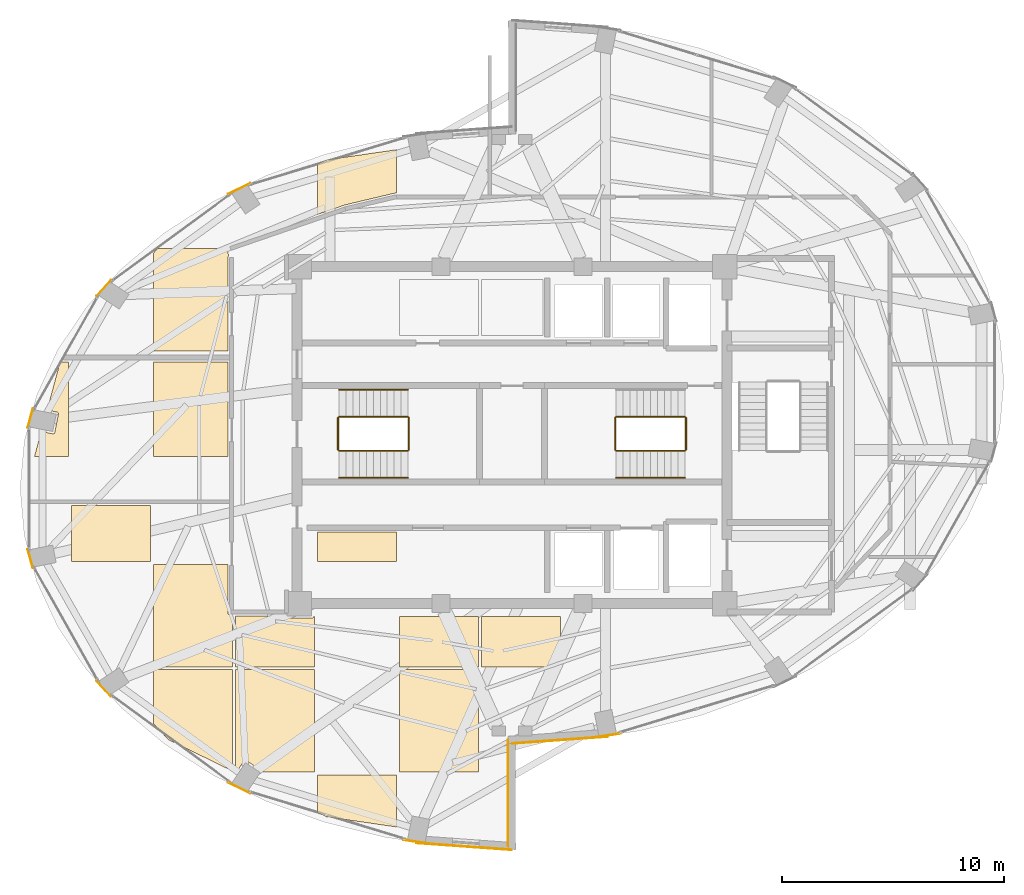
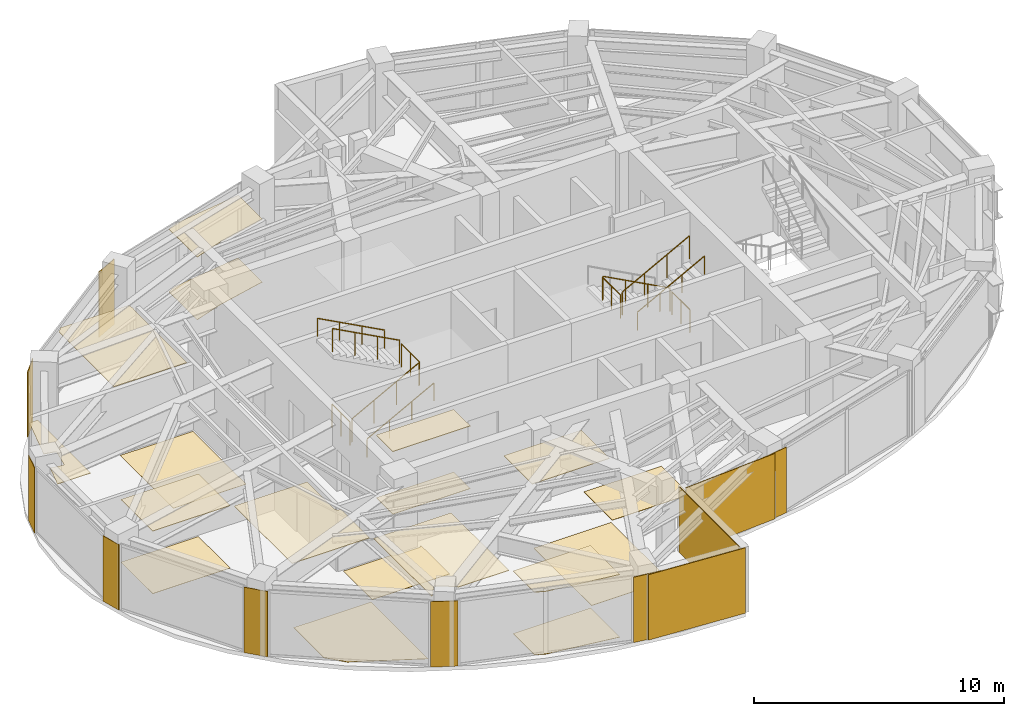
# One storey, part 22 of 23: 29 coverings, 11 railings.
"""IFC4 building model written with IfcOpenShell, lengths in metres."""

from ifc_helpers import new_model, si_unit, direction, frame, origin, origin_2d, place, context, subcontext, project, spatial, polyline, rectangle, circle, outline, extrude, material, layer, layer_set, type_object, element, save


model = new_model("IFC4")

# Units and contexts
model_context = context("Model", 3, precision=1e-05, world=origin(), true_north=direction((0.0, 1.0)))
body_context = subcontext(model_context, "Body", "Model", "MODEL_VIEW")
ifc_project = project(units=[si_unit("LENGTHUNIT", "METRE"), si_unit("AREAUNIT", "SQUARE_METRE"), si_unit("VOLUMEUNIT", "CUBIC_METRE"), si_unit("PLANEANGLEUNIT", "RADIAN"), si_unit("MASSUNIT", "GRAM", prefix="KILO")], contexts=[model_context])

# Site, building, storey
site_placement = place(None, origin())
site = spatial("IfcSite", under=ifc_project, at=site_placement, CompositionType="ELEMENT")
building_placement = place(site_placement, origin())
building = spatial("IfcBuilding", under=site, at=building_placement, Name="Lazwardi Medical Tower", CompositionType="ELEMENT")
storey_placement = place(building_placement, frame((0.0, 0.0, 265.968017578125)))
storey = spatial("IfcBuildingStorey", under=building, at=storey_placement, Name="L69", CompositionType="ELEMENT", Elevation=265.968017578125)

# Coverings
ifc_material_1 = material(Name="Anodised bronze aluminium cassette cladding", Category="aluminium")
ifc_layer_1 = layer(ifc_material_1, 0.030029296875)
ifc_layer_set_1 = layer_set([ifc_layer_1], Name="Anodised bronze aluminium cassette cladding")
covering_type_1 = type_object("IfcCoveringType", Name="COV-CLD-BRZ", PredefinedType="CLADDING", material=ifc_layer_set_1)
covering_1_placement = place(storey_placement, frame((40.3232421875, 14.450439453125, 0.0), z_axis=(0.0, 0.0, 1.0), x_axis=(0.989512431533, 0.144447733943, 0.0)))
element("IfcCovering", 1, at=covering_1_placement, inside=storey, type_object=covering_type_1, Name="L69 Mega-column bronze cassette cover M01", PredefinedType="CLADDING", context=body_context, shape_type="SweptSolid", body=[
    extrude(rectangle(XDim=1.188720703125, YDim=0.030029296875, at=origin_2d()), origin(), (0.0, 0.0, 1.0), 3.197998046875),
])
covering_2_placement = place(storey_placement, frame((23.688720703125, 39.121337890625, 0.0), z_axis=(0.0, 0.0, 1.0), x_axis=(-0.897840141691, -0.440321564278, 0.0)))
element("IfcCovering", 2, at=covering_2_placement, inside=storey, type_object=covering_type_1, Name="L69 Mega-column bronze cassette cover M10", PredefinedType="CLADDING", context=body_context, shape_type="SweptSolid", body=[
    extrude(rectangle(XDim=1.110595703125, YDim=0.030029296875, at=origin_2d()), origin(), (0.0, 0.0, 1.0), 3.197998046875),
])
covering_3_placement = place(storey_placement, frame((17.57470703125, 34.634765625, 0.0), z_axis=(0.0, 0.0, 1.0), x_axis=(-0.673240970654, -0.739423150458, 0.0)))
element("IfcCovering", 3, at=covering_3_placement, inside=storey, type_object=covering_type_1, Name="L69 Mega-column bronze cassette cover M11", PredefinedType="CLADDING", context=body_context, shape_type="SweptSolid", body=[
    extrude(rectangle(XDim=0.98974609375, YDim=0.030029296875, at=origin_2d()), origin(), (0.0, 0.0, 1.0), 3.197998046875),
])
for number, where, z_axis, x_axis, name in (
    (4, (14.265869140625, 28.772705078125, 0.0), (0.0, 0.0, 1.0), (-0.261641748247, -0.96516506131, 0.0), "L69 Mega-column bronze cassette cover M12"),
    (5, (14.265869140625, 22.427490234375, 0.0), (0.0, 0.0, 1.0), (0.261641748247, -0.96516506131, 0.0), "L69 Mega-column bronze cassette cover M13"),
):
    element("IfcCovering", number, at=place(storey_placement, frame(where, z_axis=z_axis, x_axis=x_axis)), inside=storey, type_object=covering_type_1, Name=name, PredefinedType="CLADDING", context=body_context, shape_type="SweptSolid", body=[
        extrude(rectangle(XDim=0.894287109375, YDim=0.030029296875, at=origin_2d()), origin(), (0.0, 0.0, 1.0), 3.197998046875),
    ])
covering_4_placement = place(storey_placement, frame((17.57470703125, 16.565185546875, 0.0), z_axis=(0.0, 0.0, 1.0), x_axis=(0.673240970654, -0.739423150458, 0.0)))
element("IfcCovering", 6, at=covering_4_placement, inside=storey, type_object=covering_type_1, Name="L69 Mega-column bronze cassette cover M14", PredefinedType="CLADDING", context=body_context, shape_type="SweptSolid", body=[
    extrude(rectangle(XDim=0.98974609375, YDim=0.030029296875, at=origin_2d()), origin(), (0.0, 0.0, 1.0), 3.197998046875),
])
covering_5_placement = place(storey_placement, frame((23.688720703125, 12.07861328125, 0.0), z_axis=(0.0, 0.0, 1.0), x_axis=(0.897840141691, -0.440321564278, 0.0)))
element("IfcCovering", 7, at=covering_5_placement, inside=storey, type_object=covering_type_1, Name="L69 Mega-column bronze cassette cover M15", PredefinedType="CLADDING", context=body_context, shape_type="SweptSolid", body=[
    extrude(rectangle(XDim=1.110595703125, YDim=0.030029296875, at=origin_2d()), origin(), (0.0, 0.0, 1.0), 3.197998046875),
])
covering_6_placement = place(storey_placement, frame((31.6767578125, 9.650390625, 0.0), z_axis=(0.0, 0.0, 1.0), x_axis=(0.989512431533, -0.144447733943, 0.0)))
element("IfcCovering", 8, at=covering_6_placement, inside=storey, type_object=covering_type_1, Name="L69 Mega-column bronze cassette cover M16", PredefinedType="CLADDING", context=body_context, shape_type="SweptSolid", body=[
    extrude(rectangle(XDim=1.188720703125, YDim=0.030029296875, at=origin_2d()), origin(), (0.0, 0.0, 1.0), 3.197998046875),
])
ifc_material_2 = material(Name="Turquoise glazed ceramic tilework cladding", Category="masonry")
ifc_layer_2 = layer(ifc_material_2, 0.034912109375)
ifc_layer_set_2 = layer_set([ifc_layer_2], Name="Turquoise glazed ceramic tilework cladding")
covering_type_2 = type_object("IfcCoveringType", Name="COV-CLD-TRQ", PredefinedType="CLADDING", material=ifc_layer_set_2)
covering_7_placement = place(storey_placement, frame((38.16259765625, 14.239990234375, 0.0), z_axis=(0.0, 0.0, 1.0), x_axis=(0.997409491337, 0.071932653157, 0.0)))
element("IfcCovering", 9, at=covering_7_placement, inside=storey, type_object=covering_type_2, Name="L69 Turquoise glazed ceramic tilework cladding", PredefinedType="CLADDING", context=body_context, shape_type="SweptSolid", body=[
    extrude(rectangle(XDim=4.31103515625, YDim=0.034912109375, at=origin_2d()), origin(), (0.0, 0.0, 1.0), 3.197998046875),
])
covering_8_placement = place(storey_placement, frame((33.83740234375, 9.43994140625, 0.0), z_axis=(0.0, 0.0, 1.0), x_axis=(0.997408989128, -0.071939616387, 0.0)))
element("IfcCovering", 10, at=covering_8_placement, inside=storey, type_object=covering_type_2, Name="L69 Turquoise glazed ceramic tilework cladding", PredefinedType="CLADDING", context=body_context, shape_type="SweptSolid", body=[
    extrude(rectangle(XDim=4.310546875, YDim=0.034912109375, at=origin_2d()), origin(), (0.0, 0.0, 1.0), 3.197998046875),
])
covering_9_placement = place(storey_placement, frame((35.824462890625, 11.860107421875, 0.0), z_axis=(0.0, 0.0, 1.0), x_axis=(0.0, 1.0, 0.0)))
element("IfcCovering", 11, at=covering_9_placement, inside=storey, type_object=covering_type_2, Name="L69 Turquoise glazed ceramic tilework iwan panel", PredefinedType="CLADDING", context=body_context, shape_type="SweptSolid", body=[
    extrude(rectangle(XDim=4.800048828125, YDim=0.034912109375, at=origin_2d()), origin(), (0.0, 0.0, 1.0), 3.197998046875),
])
ifc_material_3 = material(Name="Acoustic mineral fibre tile")
ifc_layer_3 = layer(ifc_material_3, 0.02490234375)
ifc_layer_set_3 = layer_set([ifc_layer_3], Name="Acoustic mineral fibre tile")
covering_type_3 = type_object("IfcCoveringType", Name="COV-CLG-01", PredefinedType="CEILING", material=ifc_layer_set_3)
covering_10_placement = place(storey_placement, frame((0.0, 0.0, 3.052978515625)))
element("IfcCovering", 12, at=covering_10_placement, inside=storey, type_object=covering_type_3, Name="L69 Clinical Acoustic Ceiling 1", PredefinedType="CEILING", context=body_context, shape_type="SweptSolid", body=[
    extrude(outline(polyline([(15.992919921875, 31.300048828125), (15.61181640625, 31.300048828125), (15.0224609375, 29.13134765625), (15.4716796875, 29.0419921875), (15.479248046875, 29.040283203125), (15.486572265625, 29.03759765625), (15.49365234375, 29.0341796875), (15.50048828125, 29.030029296875), (15.5068359375, 29.025390625), (15.5126953125, 29.020263671875), (15.517822265625, 29.014404296875), (15.5224609375, 29.008056640625), (15.526611328125, 29.001220703125), (15.52978515625, 28.994140625), (15.53271484375, 28.98681640625), (15.534423828125, 28.979248046875), (15.53564453125, 28.971435546875), (15.535888671875, 28.963623046875), (15.53564453125, 28.955810546875), (15.534423828125, 28.947998046875), (15.37060546875, 28.124267578125), (15.36865234375, 28.11669921875), (15.365966796875, 28.109130859375), (15.36279296875, 28.10205078125), (15.358642578125, 28.095458984375), (15.35400390625, 28.089111328125), (15.3486328125, 28.083251953125), (15.343017578125, 28.077880859375), (15.33642578125, 28.0732421875), (15.329833984375, 28.069091796875), (15.32275390625, 28.06591796875), (15.315185546875, 28.063232421875), (15.3076171875, 28.061279296875), (15.2998046875, 28.060302734375), (15.2919921875, 28.059814453125), (15.2841796875, 28.060302734375), (15.276611328125, 28.061279296875), (14.759521484375, 28.1640625), (14.454833984375, 27.04248046875), (15.992919921875, 27.04248046875), (15.992919921875, 31.300048828125)])), origin(), (0.0, 0.0, 1.0), 0.02490234375),
])
covering_11_placement = place(storey_placement, frame((0.0, 0.0, 3.052978515625)))
element("IfcCovering", 13, at=covering_11_placement, inside=storey, type_object=covering_type_3, Name="L69 Clinical Acoustic Ceiling 2", PredefinedType="CEILING", context=body_context, shape_type="SweptSolid", body=[
    extrude(outline(polyline([(19.69287109375, 24.8349609375), (16.11279296875, 24.8349609375), (16.11279296875, 22.29248046875), (19.69287109375, 22.29248046875), (19.69287109375, 24.8349609375)])), origin(), (0.0, 0.0, 1.0), 0.02490234375),
])
covering_12_placement = place(storey_placement, frame((0.0, 0.0, 3.052978515625)))
element("IfcCovering", 14, at=covering_12_placement, inside=storey, type_object=covering_type_3, Name="L69 Clinical Acoustic Ceiling 3", PredefinedType="CEILING", context=body_context, shape_type="SweptSolid", body=[
    extrude(outline(polyline([(23.392822265625, 19.844970703125), (23.35009765625, 19.844970703125), (23.345703125, 19.84521484375), (23.33642578125, 19.845703125), (23.32958984375, 19.84619140625), (23.3203125, 19.84765625), (23.31201171875, 19.84912109375), (23.302734375, 19.8515625), (23.2958984375, 19.853515625), (23.287109375, 19.856689453125), (23.279296875, 19.860107421875), (23.270751953125, 19.864013671875), (23.263916015625, 19.86767578125), (23.256103515625, 19.872314453125), (23.249267578125, 19.876953125), (23.24169921875, 19.882568359375), (23.236083984375, 19.88720703125), (23.229248046875, 19.893310546875), (23.223388671875, 19.8994140625), (23.217041015625, 19.90625), (23.21240234375, 19.911865234375), (23.206787109375, 19.919189453125), (23.202392578125, 19.926025390625), (23.197509765625, 19.93408203125), (23.194091796875, 19.94091796875), (23.18994140625, 19.94921875), (23.186767578125, 19.95703125), (23.18359375, 19.9658203125), (23.181396484375, 19.972900390625), (23.17919921875, 19.98193359375), (23.177490234375, 19.990234375), (23.17626953125, 19.99951171875), (23.175537109375, 20.00634765625), (23.175048828125, 20.015625), (23.175048828125, 20.02001953125), (23.175048828125, 22.172607421875), (19.81298828125, 22.172607421875), (19.81298828125, 17.54248046875), (23.392822265625, 17.54248046875), (23.392822265625, 19.844970703125)])), origin(), (0.0, 0.0, 1.0), 0.02490234375),
])
covering_13_placement = place(storey_placement, frame((0.0, 0.0, 3.052978515625)))
element("IfcCovering", 15, at=covering_13_placement, inside=storey, type_object=covering_type_3, Name="L69 Clinical Acoustic Ceiling 4", PredefinedType="CEILING", context=body_context, shape_type="SweptSolid", body=[
    extrude(outline(polyline([(20.011962890625, 36.422607421875), (19.81298828125, 36.204345703125), (19.81298828125, 31.79248046875), (23.175048828125, 31.79248046875), (23.175048828125, 35.982421875), (23.175048828125, 35.986572265625), (23.175537109375, 35.99609375), (23.176513671875, 36.00439453125), (23.177978515625, 36.01416015625), (23.179443359375, 36.021484375), (23.181884765625, 36.031005859375), (23.1845703125, 36.039306640625), (23.18798828125, 36.04833984375), (23.191162109375, 36.055419921875), (23.1953125, 36.064208984375), (23.199462890625, 36.071533203125), (23.20458984375, 36.079833984375), (23.209228515625, 36.086181640625), (23.212158203125, 36.090087890625), (23.1591796875, 36.40625), (23.15869140625, 36.410400390625), (23.15771484375, 36.419921875), (23.157470703125, 36.422607421875), (20.011962890625, 36.422607421875)])), origin(), (0.0, 0.0, 1.0), 0.02490234375),
])
covering_14_placement = place(storey_placement, frame((0.0, 0.0, 3.052978515625)))
element("IfcCovering", 16, at=covering_14_placement, inside=storey, type_object=covering_type_3, Name="L69 Clinical Acoustic Ceiling 5", PredefinedType="CEILING", context=body_context, shape_type="SweptSolid", body=[
    extrude(outline(polyline([(23.56298828125, 12.79248046875), (23.900634765625, 13.297607421875), (23.905517578125, 13.303955078125), (23.91064453125, 13.309814453125), (23.91650390625, 13.31494140625), (23.9228515625, 13.319580078125), (23.929443359375, 13.32373046875), (23.9365234375, 13.3271484375), (23.944091796875, 13.329833984375), (23.95166015625, 13.331787109375), (23.95947265625, 13.332763671875), (23.96728515625, 13.333251953125), (23.97509765625, 13.332763671875), (23.98291015625, 13.331787109375), (23.990478515625, 13.329833984375), (23.997802734375, 13.3271484375), (24.0048828125, 13.32373046875), (24.01171875, 13.319580078125), (24.7099609375, 12.85302734375), (24.71630859375, 12.848388671875), (24.72216796875, 12.843017578125), (24.727294921875, 12.83740234375), (24.732177734375, 12.830810546875), (24.736083984375, 12.82421875), (24.739501953125, 12.817138671875), (24.7421875, 12.809814453125), (24.744140625, 12.802001953125), (24.7451171875, 12.794189453125), (24.745361328125, 12.79248046875), (27.093017578125, 12.79248046875), (27.093017578125, 17.422607421875), (23.512939453125, 17.422607421875), (23.512939453125, 12.79248046875), (23.56298828125, 12.79248046875)])), origin(), (0.0, 0.0, 1.0), 0.02490234375),
])
covering_15_placement = place(storey_placement, frame((0.0, 0.0, 3.052978515625)))
element("IfcCovering", 17, at=covering_15_placement, inside=storey, type_object=covering_type_3, Name="L69 Clinical Acoustic Ceiling 6", PredefinedType="CEILING", context=body_context, shape_type="SweptSolid", body=[
    extrude(outline(polyline([(27.212890625, 10.972412109375), (27.59716796875, 10.784423828125), (30.79296875, 10.319091796875), (30.79296875, 12.672607421875), (27.212890625, 12.672607421875), (27.212890625, 10.972412109375)])), origin(), (0.0, 0.0, 1.0), 0.02490234375),
])
covering_16_placement = place(storey_placement, frame((0.0, 0.0, 3.052978515625)))
element("IfcCovering", 18, at=covering_16_placement, inside=storey, type_object=covering_type_3, Name="L69 Clinical Acoustic Ceiling 7", PredefinedType="CEILING", context=body_context, shape_type="SweptSolid", body=[
    extrude(outline(polyline([(30.79296875, 23.6201171875), (27.212890625, 23.6201171875), (27.212890625, 22.29248046875), (30.79296875, 22.29248046875), (30.79296875, 23.6201171875)])), origin(), (0.0, 0.0, 1.0), 0.02490234375),
])
covering_17_placement = place(storey_placement, frame((0.0, 0.0, 3.052978515625)))
element("IfcCovering", 19, at=covering_17_placement, inside=storey, type_object=covering_type_3, Name="L69 Clinical Acoustic Ceiling 8", PredefinedType="CEILING", context=body_context, shape_type="SweptSolid", body=[
    extrude(outline(polyline([(30.79296875, 40.880859375), (27.59716796875, 40.41552734375), (27.212890625, 40.2275390625), (27.212890625, 37.956787109375), (28.457763671875, 38.385498046875), (28.461669921875, 38.386962890625), (28.470703125, 38.389404296875), (28.474365234375, 38.390380859375), (30.70947265625, 38.920166015625), (30.71337890625, 38.921142578125), (30.72412109375, 38.923095703125), (30.734375, 38.92431640625), (30.74560546875, 38.9248046875), (30.749755859375, 38.925048828125), (30.79296875, 38.925048828125), (30.79296875, 40.880859375)])), origin(), (0.0, 0.0, 1.0), 0.02490234375),
])
covering_18_placement = place(storey_placement, frame((0.0, 0.0, 3.052978515625)))
element("IfcCovering", 20, at=covering_18_placement, inside=storey, type_object=covering_type_3, Name="L69 Clinical Acoustic Ceiling 9", PredefinedType="CEILING", context=body_context, shape_type="SweptSolid", body=[
    extrude(outline(polyline([(34.492919921875, 19.820068359375), (30.912841796875, 19.820068359375), (30.912841796875, 17.54248046875), (34.492919921875, 17.54248046875), (34.492919921875, 19.820068359375)])), origin(), (0.0, 0.0, 1.0), 0.02490234375),
])
ifc_material_4 = material(Name="Anti-static hospital vinyl sheet flooring")
ifc_layer_4 = layer(ifc_material_4, 0.014892578125)
ifc_layer_set_4 = layer_set([ifc_layer_4], Name="Anti-static hospital vinyl sheet flooring")
covering_type_4 = type_object("IfcCoveringType", Name="COV-FLR-01", PredefinedType="FLOORING", material=ifc_layer_set_4)
covering_19_placement = place(storey_placement, origin())
element("IfcCovering", 21, at=covering_19_placement, inside=storey, type_object=covering_type_4, Name="L69 Clinical Vinyl Flooring 1", PredefinedType="FLOORING", context=body_context, shape_type="SweptSolid", body=[
    extrude(outline(polyline([(19.69287109375, 24.8349609375), (16.11279296875, 24.8349609375), (16.11279296875, 22.29248046875), (19.69287109375, 22.29248046875), (19.69287109375, 24.8349609375)])), origin(), (0.0, 0.0, 1.0), 0.014892578125),
])
covering_20_placement = place(storey_placement, origin())
element("IfcCovering", 22, at=covering_20_placement, inside=storey, type_object=covering_type_4, Name="L69 Clinical Vinyl Flooring 2", PredefinedType="FLOORING", context=body_context, shape_type="SweptSolid", body=[
    extrude(outline(polyline([(19.81298828125, 14.99560546875), (20.478271484375, 14.2666015625), (23.392822265625, 12.841064453125), (23.392822265625, 17.422607421875), (19.81298828125, 17.422607421875), (19.81298828125, 14.99560546875)])), origin(), (0.0, 0.0, 1.0), 0.014892578125),
])
covering_21_placement = place(storey_placement, origin())
element("IfcCovering", 23, at=covering_21_placement, inside=storey, type_object=covering_type_4, Name="L69 Clinical Vinyl Flooring 3", PredefinedType="FLOORING", context=body_context, shape_type="SweptSolid", body=[
    extrude(outline(polyline([(23.175048828125, 27.04248046875), (23.175048828125, 31.300048828125), (19.81298828125, 31.300048828125), (19.81298828125, 27.04248046875), (23.175048828125, 27.04248046875)])), origin(), (0.0, 0.0, 1.0), 0.014892578125),
])
covering_22_placement = place(storey_placement, origin())
element("IfcCovering", 24, at=covering_22_placement, inside=storey, type_object=covering_type_4, Name="L69 Clinical Vinyl Flooring 4", PredefinedType="FLOORING", context=body_context, shape_type="SweptSolid", body=[
    extrude(outline(polyline([(27.093017578125, 19.820068359375), (27.04931640625, 19.820068359375), (27.048583984375, 19.814453125), (27.046630859375, 19.806884765625), (27.0439453125, 19.79931640625), (27.04052734375, 19.792236328125), (27.03662109375, 19.78564453125), (27.03173828125, 19.779296875), (27.026611328125, 19.7734375), (27.020751953125, 19.768310546875), (27.014404296875, 19.763427734375), (27.0078125, 19.759521484375), (27.00048828125, 19.756103515625), (26.9931640625, 19.75341796875), (26.985595703125, 19.75146484375), (26.977783203125, 19.75048828125), (26.969970703125, 19.75), (25.830078125, 19.75), (25.822265625, 19.75048828125), (25.814453125, 19.75146484375), (25.806884765625, 19.75341796875), (25.79931640625, 19.756103515625), (25.792236328125, 19.759521484375), (25.78564453125, 19.763427734375), (25.779296875, 19.768310546875), (25.7734375, 19.7734375), (25.768310546875, 19.779296875), (25.763427734375, 19.78564453125), (25.759521484375, 19.792236328125), (25.756103515625, 19.79931640625), (25.75341796875, 19.806884765625), (25.75146484375, 19.814453125), (25.75048828125, 19.822265625), (25.75, 19.830078125), (25.75, 19.844970703125), (23.512939453125, 19.844970703125), (23.512939453125, 17.54248046875), (27.093017578125, 17.54248046875), (27.093017578125, 19.820068359375)])), origin(), (0.0, 0.0, 1.0), 0.014892578125),
])
covering_23_placement = place(storey_placement, origin())
element("IfcCovering", 25, at=covering_23_placement, inside=storey, type_object=covering_type_4, Name="L69 Clinical Vinyl Flooring 5", PredefinedType="FLOORING", context=body_context, shape_type="SweptSolid", body=[
    extrude(outline(polyline([(27.212890625, 10.972412109375), (27.59716796875, 10.784423828125), (30.79296875, 10.319091796875), (30.79296875, 12.672607421875), (27.212890625, 12.672607421875), (27.212890625, 10.972412109375)])), origin(), (0.0, 0.0, 1.0), 0.014892578125),
])
covering_24_placement = place(storey_placement, origin())
element("IfcCovering", 26, at=covering_24_placement, inside=storey, type_object=covering_type_4, Name="L69 Clinical Vinyl Flooring 6", PredefinedType="FLOORING", context=body_context, shape_type="SweptSolid", body=[
    extrude(outline(polyline([(30.79296875, 23.6201171875), (27.212890625, 23.6201171875), (27.212890625, 22.29248046875), (30.79296875, 22.29248046875), (30.79296875, 23.6201171875)])), origin(), (0.0, 0.0, 1.0), 0.014892578125),
])
covering_25_placement = place(storey_placement, origin())
element("IfcCovering", 27, at=covering_25_placement, inside=storey, type_object=covering_type_4, Name="L69 Clinical Vinyl Flooring 7", PredefinedType="FLOORING", context=body_context, shape_type="SweptSolid", body=[
    extrude(outline(polyline([(30.79296875, 40.880859375), (27.59716796875, 40.41552734375), (27.212890625, 40.2275390625), (27.212890625, 37.956787109375), (28.457763671875, 38.385498046875), (28.461669921875, 38.386962890625), (28.470703125, 38.389404296875), (28.474365234375, 38.390380859375), (30.70947265625, 38.920166015625), (30.71337890625, 38.921142578125), (30.72412109375, 38.923095703125), (30.734375, 38.92431640625), (30.74560546875, 38.9248046875), (30.749755859375, 38.925048828125), (30.79296875, 38.925048828125), (30.79296875, 40.880859375)])), origin(), (0.0, 0.0, 1.0), 0.014892578125),
])
covering_26_placement = place(storey_placement, origin())
element("IfcCovering", 28, at=covering_26_placement, inside=storey, type_object=covering_type_4, Name="L69 Clinical Vinyl Flooring 8", PredefinedType="FLOORING", context=body_context, shape_type="SweptSolid", body=[
    extrude(outline(polyline([(34.492919921875, 12.79248046875), (34.492919921875, 17.422607421875), (30.912841796875, 17.422607421875), (30.912841796875, 12.79248046875), (34.492919921875, 12.79248046875)])), origin(), (0.0, 0.0, 1.0), 0.014892578125),
])
covering_27_placement = place(storey_placement, origin())
element("IfcCovering", 29, at=covering_27_placement, inside=storey, type_object=covering_type_4, Name="L69 Clinical Vinyl Flooring 9", PredefinedType="FLOORING", context=body_context, shape_type="SweptSolid", body=[
    extrude(outline(polyline([(38.19287109375, 19.820068359375), (34.61279296875, 19.820068359375), (34.61279296875, 17.54248046875), (38.19287109375, 17.54248046875), (38.19287109375, 19.820068359375)])), origin(), (0.0, 0.0, 1.0), 0.014892578125),
])

# Railings
ifc_material_5 = material(Name="Stainless steel Grade 316", Category="steel")
railing_type_1 = type_object("IfcRailingType", Name="RLG-GRD-1150", PredefinedType="GUARDRAIL", material=ifc_material_5)
railing_1_placement = place(storey_placement, frame((28.199951171875, 27.2900390625, 0.165771484375)))
element("IfcRailing", 30, at=railing_1_placement, inside=storey, type_object=railing_type_1, Name="L69 ST1 stair guard 1", PredefinedType="GUARDRAIL", context=body_context, shape_type="SweptSolid", body=[
    extrude(circle(Radius=0.02392578125, at=origin_2d()), frame((0.0, 0.0, 1.1259765625), z_axis=(0.881783298633, 0.0, 0.471654761719), x_axis=(0.0, 1.0, 0.0)), (0.0, 0.0, 1.0), 3.515625),
    extrude(circle(Radius=0.02099609375, at=origin_2d()), origin(), (0.0, 0.0, 1.0), 1.099853515625),
    extrude(circle(Radius=0.02099609375, at=origin_2d()), frame((1.033447265625, 0.0, 0.552734375)), (0.0, 0.0, 1.0), 1.099853515625),
    extrude(circle(Radius=0.02099609375, at=origin_2d()), frame((2.066650390625, 0.0, 1.10546875)), (0.0, 0.0, 1.0), 1.099853515625),
    extrude(circle(Radius=0.02099609375, at=origin_2d()), frame((3.10009765625, 0.0, 1.658203125)), (0.0, 0.0, 1.0), 1.099853515625),
])
railing_2_placement = place(storey_placement, frame((31.35009765625, 27.340087890625, 1.823974609375)))
element("IfcRailing", 31, at=railing_2_placement, inside=storey, type_object=railing_type_1, Name="L69 ST1 stair guard 2", PredefinedType="GUARDRAIL", context=body_context, shape_type="SweptSolid", body=[
    extrude(circle(Radius=0.02392578125, at=origin_2d()), frame((0.0, 0.0, 1.1259765625), z_axis=(0.0, 1.0, 0.0), x_axis=(-1.0, 0.0, 0.0)), (0.0, 0.0, 1.0), 1.43994140625),
    extrude(circle(Radius=0.02099609375, at=origin_2d()), origin(), (0.0, 0.0, 1.0), 1.099853515625),
    extrude(circle(Radius=0.02099609375, at=origin_2d()), frame((0.0, 0.719970703125, 0.0)), (0.0, 0.0, 1.0), 1.099853515625),
    extrude(circle(Radius=0.02099609375, at=origin_2d()), frame((0.0, 1.43994140625, 0.0)), (0.0, 0.0, 1.0), 1.099853515625),
])
railing_3_placement = place(storey_placement, frame((31.300048828125, 28.830078125, 1.98974609375)))
element("IfcRailing", 32, at=railing_3_placement, inside=storey, type_object=railing_type_1, Name="L69 ST1 stair guard 3", PredefinedType="GUARDRAIL", context=body_context, shape_type="SweptSolid", body=[
    extrude(circle(Radius=0.02392578125, at=origin_2d()), frame((0.0, 0.0, 1.1259765625), z_axis=(-0.881783298633, 0.0, 0.471654761719), x_axis=(0.0, -1.0, 0.0)), (0.0, 0.0, 1.0), 3.515625),
    extrude(circle(Radius=0.02099609375, at=origin_2d()), origin(), (0.0, 0.0, 1.0), 1.099853515625),
    extrude(circle(Radius=0.02099609375, at=origin_2d()), frame((-1.033447265625, 0.0, 0.552734375)), (0.0, 0.0, 1.0), 1.099853515625),
    extrude(circle(Radius=0.02099609375, at=origin_2d()), frame((-2.066650390625, 0.0, 1.10546875)), (0.0, 0.0, 1.0), 1.099853515625),
    extrude(circle(Radius=0.02099609375, at=origin_2d()), frame((-3.10009765625, 0.0, 1.658203125)), (0.0, 0.0, 1.0), 1.099853515625),
])
railing_4_placement = place(storey_placement, frame((28.14990234375, 27.340087890625, 0.0)))
element("IfcRailing", 33, at=railing_4_placement, inside=storey, type_object=railing_type_1, Name="L69 ST1 stair guard 4", PredefinedType="GUARDRAIL", context=body_context, shape_type="SweptSolid", body=[
    extrude(circle(Radius=0.02392578125, at=origin_2d()), frame((0.0, 0.0, 1.1259765625), z_axis=(0.0, 1.0, 0.0), x_axis=(-1.0, 0.0, 0.0)), (0.0, 0.0, 1.0), 1.43994140625),
    extrude(circle(Radius=0.02099609375, at=origin_2d()), origin(), (0.0, 0.0, 1.0), 1.099853515625),
    extrude(circle(Radius=0.02099609375, at=origin_2d()), frame((0.0, 0.719970703125, 0.0)), (0.0, 0.0, 1.0), 1.099853515625),
    extrude(circle(Radius=0.02099609375, at=origin_2d()), frame((0.0, 1.43994140625, 0.0)), (0.0, 0.0, 1.0), 1.099853515625),
])
railing_5_placement = place(storey_placement, frame((43.800048828125, 28.830078125, 0.165771484375)))
element("IfcRailing", 34, at=railing_5_placement, inside=storey, type_object=railing_type_1, Name="L69 ST2 stair guard 1", PredefinedType="GUARDRAIL", context=body_context, shape_type="SweptSolid", body=[
    extrude(circle(Radius=0.02392578125, at=origin_2d()), frame((0.0, 0.0, 1.1259765625), z_axis=(-0.881783298633, 0.0, 0.471654761719), x_axis=(0.0, -1.0, 0.0)), (0.0, 0.0, 1.0), 3.515625),
    extrude(circle(Radius=0.02099609375, at=origin_2d()), origin(), (0.0, 0.0, 1.0), 1.099853515625),
    extrude(circle(Radius=0.02099609375, at=origin_2d()), frame((-1.033447265625, 0.0, 0.552734375)), (0.0, 0.0, 1.0), 1.099853515625),
    extrude(circle(Radius=0.02099609375, at=origin_2d()), frame((-2.066650390625, 0.0, 1.10546875)), (0.0, 0.0, 1.0), 1.099853515625),
    extrude(circle(Radius=0.02099609375, at=origin_2d()), frame((-3.10009765625, 0.0, 1.658203125)), (0.0, 0.0, 1.0), 1.099853515625),
])
railing_6_placement = place(storey_placement, frame((40.64990234375, 28.780029296875, 1.823974609375)))
element("IfcRailing", 35, at=railing_6_placement, inside=storey, type_object=railing_type_1, Name="L69 ST2 stair guard 2", PredefinedType="GUARDRAIL", context=body_context, shape_type="SweptSolid", body=[
    extrude(circle(Radius=0.02392578125, at=origin_2d()), frame((0.0, 0.0, 1.1259765625), z_axis=(0.0, -1.0, 0.0), x_axis=(1.0, 0.0, 0.0)), (0.0, 0.0, 1.0), 1.43994140625),
    extrude(circle(Radius=0.02099609375, at=origin_2d()), origin(), (0.0, 0.0, 1.0), 1.099853515625),
    extrude(circle(Radius=0.02099609375, at=origin_2d()), frame((0.0, -0.719970703125, 0.0)), (0.0, 0.0, 1.0), 1.099853515625),
    extrude(circle(Radius=0.02099609375, at=origin_2d()), frame((0.0, -1.43994140625, 0.0)), (0.0, 0.0, 1.0), 1.099853515625),
])
railing_7_placement = place(storey_placement, frame((40.699951171875, 27.2900390625, 1.98974609375)))
element("IfcRailing", 36, at=railing_7_placement, inside=storey, type_object=railing_type_1, Name="L69 ST2 stair guard 3", PredefinedType="GUARDRAIL", context=body_context, shape_type="SweptSolid", body=[
    extrude(circle(Radius=0.02392578125, at=origin_2d()), frame((0.0, 0.0, 1.1259765625), z_axis=(0.881783298633, 0.0, 0.471654761719), x_axis=(0.0, 1.0, 0.0)), (0.0, 0.0, 1.0), 3.515625),
    extrude(circle(Radius=0.02099609375, at=origin_2d()), origin(), (0.0, 0.0, 1.0), 1.099853515625),
    extrude(circle(Radius=0.02099609375, at=origin_2d()), frame((1.033447265625, 0.0, 0.552734375)), (0.0, 0.0, 1.0), 1.099853515625),
    extrude(circle(Radius=0.02099609375, at=origin_2d()), frame((2.066650390625, 0.0, 1.10546875)), (0.0, 0.0, 1.0), 1.099853515625),
    extrude(circle(Radius=0.02099609375, at=origin_2d()), frame((3.10009765625, 0.0, 1.658203125)), (0.0, 0.0, 1.0), 1.099853515625),
])
railing_8_placement = place(storey_placement, frame((43.85009765625, 28.780029296875, 0.0)))
element("IfcRailing", 37, at=railing_8_placement, inside=storey, type_object=railing_type_1, Name="L69 ST2 stair guard 4", PredefinedType="GUARDRAIL", context=body_context, shape_type="SweptSolid", body=[
    extrude(circle(Radius=0.02392578125, at=origin_2d()), frame((0.0, 0.0, 1.1259765625), z_axis=(0.0, -1.0, 0.0), x_axis=(1.0, 0.0, 0.0)), (0.0, 0.0, 1.0), 1.43994140625),
    extrude(circle(Radius=0.02099609375, at=origin_2d()), origin(), (0.0, 0.0, 1.0), 1.099853515625),
    extrude(circle(Radius=0.02099609375, at=origin_2d()), frame((0.0, -0.719970703125, 0.0)), (0.0, 0.0, 1.0), 1.099853515625),
    extrude(circle(Radius=0.02099609375, at=origin_2d()), frame((0.0, -1.43994140625, 0.0)), (0.0, 0.0, 1.0), 1.099853515625),
])
railing_type_2 = type_object("IfcRailingType", Name="RLG-HND-920", PredefinedType="HANDRAIL", material=ifc_material_5)
railing_9_placement = place(storey_placement, frame((28.199951171875, 26.070068359375, 0.165771484375)))
element("IfcRailing", 38, at=railing_9_placement, inside=storey, type_object=railing_type_2, Name="L69 ST1 stair handrail 1", PredefinedType="HANDRAIL", context=body_context, shape_type="SweptSolid", body=[
    extrude(circle(Radius=0.02392578125, at=origin_2d()), frame((0.0, 0.0, 0.8857421875), z_axis=(0.881783298633, 0.0, 0.471654761719), x_axis=(0.0, 1.0, 0.0)), (0.0, 0.0, 1.0), 3.515625),
    extrude(circle(Radius=0.02099609375, at=origin_2d()), origin(), (0.0, 0.0, 1.0), 0.85986328125),
    extrude(circle(Radius=0.02099609375, at=origin_2d()), frame((1.033447265625, 0.0, 0.552734375)), (0.0, 0.0, 1.0), 0.85986328125),
    extrude(circle(Radius=0.02099609375, at=origin_2d()), frame((2.066650390625, 0.0, 1.10546875)), (0.0, 0.0, 1.0), 0.85986328125),
    extrude(circle(Radius=0.02099609375, at=origin_2d()), frame((3.10009765625, 0.0, 1.658203125)), (0.0, 0.0, 1.0), 0.85986328125),
])
railing_10_placement = place(storey_placement, frame((31.300048828125, 30.050048828125, 1.98974609375)))
element("IfcRailing", 39, at=railing_10_placement, inside=storey, type_object=railing_type_2, Name="L69 ST1 stair handrail 2", PredefinedType="HANDRAIL", context=body_context, shape_type="SweptSolid", body=[
    extrude(circle(Radius=0.02392578125, at=origin_2d()), frame((0.0, 0.0, 0.8857421875), z_axis=(-0.881783298633, 0.0, 0.471654761719), x_axis=(0.0, -1.0, 0.0)), (0.0, 0.0, 1.0), 3.515625),
    extrude(circle(Radius=0.02099609375, at=origin_2d()), origin(), (0.0, 0.0, 1.0), 0.85986328125),
    extrude(circle(Radius=0.02099609375, at=origin_2d()), frame((-1.033447265625, 0.0, 0.552734375)), (0.0, 0.0, 1.0), 0.85986328125),
    extrude(circle(Radius=0.02099609375, at=origin_2d()), frame((-2.066650390625, 0.0, 1.10546875)), (0.0, 0.0, 1.0), 0.85986328125),
    extrude(circle(Radius=0.02099609375, at=origin_2d()), frame((-3.10009765625, 0.0, 1.658203125)), (0.0, 0.0, 1.0), 0.85986328125),
])
railing_11_placement = place(storey_placement, frame((40.699951171875, 26.070068359375, 1.98974609375)))
element("IfcRailing", 40, at=railing_11_placement, inside=storey, type_object=railing_type_2, Name="L69 ST2 stair handrail 2", PredefinedType="HANDRAIL", context=body_context, shape_type="SweptSolid", body=[
    extrude(circle(Radius=0.02392578125, at=origin_2d()), frame((0.0, 0.0, 0.8857421875), z_axis=(0.881783298633, 0.0, 0.471654761719), x_axis=(0.0, 1.0, 0.0)), (0.0, 0.0, 1.0), 3.515625),
    extrude(circle(Radius=0.02099609375, at=origin_2d()), origin(), (0.0, 0.0, 1.0), 0.85986328125),
    extrude(circle(Radius=0.02099609375, at=origin_2d()), frame((1.033447265625, 0.0, 0.552734375)), (0.0, 0.0, 1.0), 0.85986328125),
    extrude(circle(Radius=0.02099609375, at=origin_2d()), frame((2.066650390625, 0.0, 1.10546875)), (0.0, 0.0, 1.0), 0.85986328125),
    extrude(circle(Radius=0.02099609375, at=origin_2d()), frame((3.10009765625, 0.0, 1.658203125)), (0.0, 0.0, 1.0), 0.85986328125),
])

save(model, "model.ifc")
